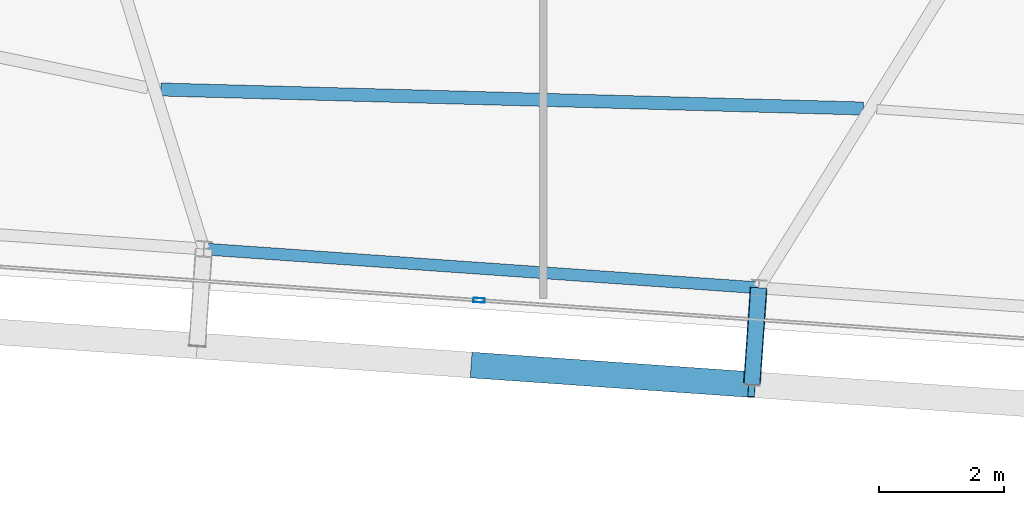
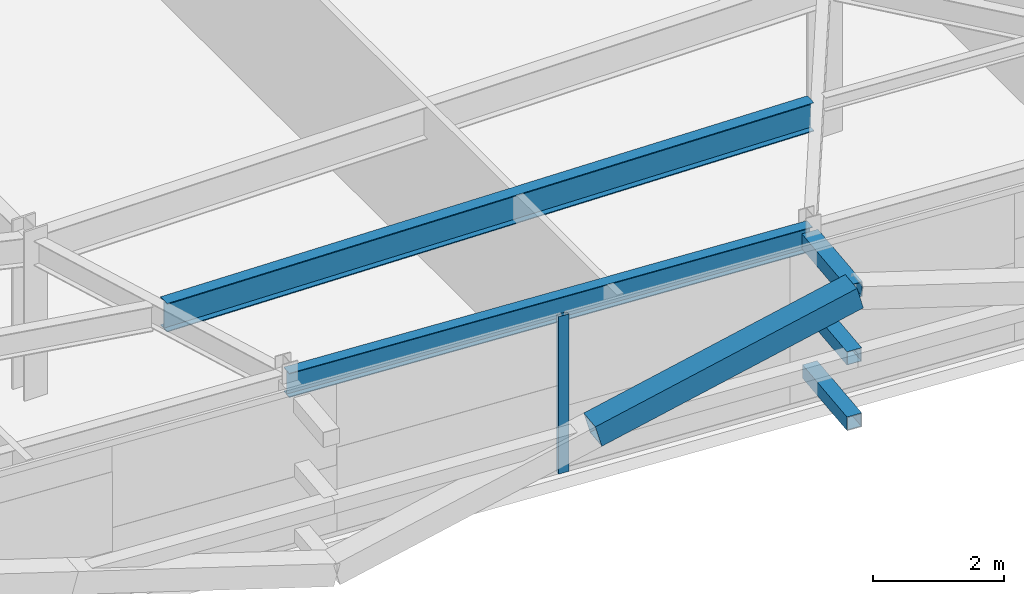
# One storey, part 9 of 39: 5 members, 2 beams, 1 element without a shape of its own.
"""IFC4 building model written with IfcOpenShell, lengths in metres."""

from ifc_helpers import new_model, si_unit, direction, frame, origin, origin_2d, place, context, subcontext, project, spatial, hollow_rectangle, i_section, extrude, source, transform, mapped, material, layer, layer_set, material_profile, profile_set, type_object, element, aggregate, save


model = new_model("IFC4")

# Units and contexts
model_context = context("Model", 3, precision=1e-05, world=origin(), true_north=direction((0.0, 1.0)))
body_context = subcontext(model_context, "Body", "Model", "MODEL_VIEW")
ifc_project = project(units=[si_unit("LENGTHUNIT", "METRE"), si_unit("AREAUNIT", "SQUARE_METRE"), si_unit("VOLUMEUNIT", "CUBIC_METRE"), si_unit("PLANEANGLEUNIT", "RADIAN"), si_unit("MASSUNIT", "GRAM", prefix="KILO")], contexts=[model_context])

# Site, building, storey
site_placement = place(None, origin())
site = spatial("IfcSite", under=ifc_project, at=site_placement, CompositionType="ELEMENT")
building_placement = place(site_placement, origin())
building = spatial("IfcBuilding", under=site, at=building_placement, Name="Taldren Reach Tower", CompositionType="ELEMENT")
storey_placement = place(building_placement, frame((0.0, 0.0, 145.60009765625)))
storey = spatial("IfcBuildingStorey", under=building, at=storey_placement, Name="L44", CompositionType="ELEMENT", Elevation=145.60009765625)

# Members
ifc_material_1 = material(Name="Steel Gr 450 (C450L0)", Category="steel")
ifc_material_profile_1 = material_profile(ifc_material_1, hollow_rectangle(XDim=0.27490234375, YDim=0.27490234375, WallThickness=0.00927734375, at=origin_2d()), Name="275x275x9.3SHS")
ifc_profile_set_1 = profile_set([ifc_material_profile_1], Name="Steel Gr 450 (C450L0)")
member_type_1 = type_object("IfcMemberType", Name="MB-TIE273", PredefinedType="STRUT", material=ifc_profile_set_1)
shared_shape_1 = source(origin(), body_context, "Body", "SweptSolid", [
    extrude(hollow_rectangle(XDim=0.27490234375, YDim=0.27490234375, WallThickness=0.00927734375, at=origin_2d()), origin(), (0.0, 0.0, 1.0), 1.550048828125),
])
member_1_placement = place(storey_placement, frame((38.438720703125, 3.480224609375, 2.64990234375), z_axis=(-0.06976957191, -0.99756313426, 0.0), x_axis=(0.99756313426, -0.06976957191, 0.0)))
element("IfcMember", 1, at=member_1_placement, inside=storey, type_object=member_type_1, Name="Exoskeleton diaphragm tie strut B3-S4 L44", PredefinedType="STRUT", context=body_context, shape_type="MappedRepresentation", body=[
    mapped(shared_shape_1, transform((0.0, 0.0, 0.0), scale=1.0)),
])
ifc_material_2 = material(Name="Steel Gr 350 (C350L0)", Category="steel")
ifc_material_profile_2 = material_profile(ifc_material_2, hollow_rectangle(XDim=0.25, YDim=0.25, WallThickness=0.010009765625, at=origin_2d()), Name="250x250x10.0SHS")
ifc_profile_set_2 = profile_set([ifc_material_profile_2], Name="Steel Gr 350 (C350L0)")
member_type_2 = type_object("IfcMemberType", Name="MB-POST250", PredefinedType="POST", material=ifc_profile_set_2)
shared_shape_2 = source(origin(), body_context, "Body", "SweptSolid", [
    extrude(hollow_rectangle(XDim=0.25, YDim=0.25, WallThickness=0.010009765625, at=origin_2d()), origin(), (0.0, 0.0, 1.0), 1.550048828125),
])
for number, where, z_axis, x_axis, name in (
    (2, (38.438720703125, 3.480224609375, 0.219970703125), (-0.06976957191, -0.99756313426, 0.0), (0.99756313426, -0.06976957191, 0.0), "Exoskeleton base diaphragm tie strut B3-S4 L44"),
    (3, (38.438720703125, 3.480224609375, 1.434814453125), (-0.06976957191, -0.99756313426, 0.0), (0.99756313426, -0.06976957191, 0.0), "Exoskeleton mid-tier diaphragm tie B3-S4 L44"),
):
    element("IfcMember", number, at=place(storey_placement, frame(where, z_axis=z_axis, x_axis=x_axis)), inside=storey, type_object=member_type_2, Name=name, PredefinedType="POST", context=body_context, shape_type="MappedRepresentation", body=[
        mapped(shared_shape_2, transform((0.0, 0.0, 0.0), scale=1.0)),
    ])

# Beams
ifc_material_3 = material(Name="Steel Gr 350 (350PLUS)", Category="steel")
ifc_material_profile_3 = material_profile(ifc_material_3, i_section(OverallWidth=0.18994140625, OverallDepth=0.4541015625, WebThickness=0.008544921875, FlangeThickness=0.0126953125, at=origin_2d()), Name="460UB67.1")
ifc_profile_set_3 = profile_set([ifc_material_profile_3], Name="Steel Gr 350 (350PLUS)")
beam_type_1 = type_object("IfcBeamType", Name="SP-UB460B", PredefinedType="SPANDREL", material=ifc_profile_set_3)
shared_shape_3 = source(origin(), body_context, "Body", "SweptSolid", [
    extrude(i_section(OverallWidth=0.18994140625, OverallDepth=0.4541015625, WebThickness=0.008544921875, FlangeThickness=0.0126953125, at=origin_2d()), origin(), (0.0, 0.0, 1.0), 8.880126953125),
])
beam_1_placement = place(storey_placement, frame((29.580322265625, 4.099609375, 2.702880859375), z_axis=(0.997564479639, -0.069750333063, 0.0), x_axis=(0.069750333063, 0.997564479639, 0.0)))
element("IfcBeam", 4, at=beam_1_placement, inside=storey, type_object=beam_type_1, Name="Perimeter spandrel B3 S3-S4 L44", PredefinedType="SPANDREL", context=body_context, shape_type="MappedRepresentation", body=[
    mapped(shared_shape_3, transform((0.0, 0.0, 0.0), scale=1.0)),
])
ifc_material_profile_4 = material_profile(ifc_material_3, i_section(OverallWidth=0.208984375, OverallDepth=0.532958984375, WebThickness=0.01025390625, FlangeThickness=0.015625, at=origin_2d()), Name="530UB92.4")
ifc_profile_set_4 = profile_set([ifc_material_profile_4], Name="Steel Gr 350 (350PLUS)")
beam_type_2 = type_object("IfcBeamType", Name="BM-UB530A", PredefinedType="BEAM", material=ifc_profile_set_4)
shared_shape_4 = source(origin(), body_context, "Body", "SweptSolid", [
    extrude(i_section(OverallWidth=0.208984375, OverallDepth=0.532958984375, WebThickness=0.01025390625, FlangeThickness=0.015625, at=origin_2d()), origin(), (0.0, 0.0, 1.0), 11.221923828125),
])
beam_2_placement = place(storey_placement, frame((28.890869140625, 6.64697265625, 2.663330078125), z_axis=(0.999633109536, -0.027085906272, 0.0), x_axis=(0.027085906272, 0.999633109536, 0.0)))
element("IfcBeam", 5, at=beam_2_placement, inside=storey, type_object=beam_type_2, Name="Secondary floor beam B3 J3 L44", PredefinedType="BEAM", context=body_context, shape_type="MappedRepresentation", body=[
    mapped(shared_shape_4, transform((0.0, 0.0, 0.0), scale=1.0)),
])

# Member
ifc_material_profile_5 = material_profile(ifc_material_1, hollow_rectangle(XDim=0.409912109375, YDim=0.409912109375, WallThickness=0.01611328125, at=origin_2d()), Name="410x410x16.0SHS")
ifc_profile_set_5 = profile_set([ifc_material_profile_5], Name="Steel Gr 450 (C450L0)")
member_type_3 = type_object("IfcMemberType", Name="MB-EXO406", PredefinedType="BRACE", material=ifc_profile_set_5)
shared_shape_5 = source(origin(), body_context, "Body", "SweptSolid", [
    extrude(hollow_rectangle(XDim=0.409912109375, YDim=0.409912109375, WallThickness=0.01611328125, at=origin_2d()), origin(), (0.0, 0.0, 1.0), 4.603271484375),
])
member_2_placement = place(storey_placement, frame((33.9013671875, 2.24365234375, 1.434814453125), z_axis=(0.962182351074, -0.067302910567, 0.263961060594), x_axis=(0.06977769246, 0.997562566276, 0.0)))
element("IfcMember", 6, at=member_2_placement, inside=storey, type_object=member_type_3, Name="Exoskeleton Diagrid Brace B3-S3 L44", PredefinedType="BRACE", context=body_context, shape_type="MappedRepresentation", body=[
    mapped(shared_shape_5, transform((0.0, 0.0, 0.0), scale=1.0)),
])

# Curtain wall, member
ifc_material_4 = material(Name="Aluminium and Low-E Glass Unitised System", Category="aluminium")
ifc_layer = layer(ifc_material_4, 0.159912109375)
ifc_layer_set = layer_set([ifc_layer], Name="Aluminium and Low-E Glass Unitised System")
curtain_wall_type = type_object("IfcCurtainWallType", Name="CW-SYS-4", PredefinedType="NOTDEFINED", material=ifc_layer_set)
curtain_wall_placement = place(storey_placement, origin())
curtain_wall = element("IfcCurtainWall", 7, at=curtain_wall_placement, inside=storey, type_object=curtain_wall_type, Name="Unitised curtain wall CW-L44-S", PredefinedType="NOTDEFINED")
ifc_material_5 = material(Name="Anodised Aluminium 6063-T6", Category="aluminium")
ifc_material_profile_6 = material_profile(ifc_material_5, hollow_rectangle(XDim=0.070068359375, YDim=0.179931640625, WallThickness=0.00390625, at=origin_2d()), Name="ALU-180x70x4RHS")
ifc_profile_set_6 = profile_set([ifc_material_profile_6], Name="Anodised Aluminium 6063-T6")
member_type_4 = type_object("IfcMemberType", Name="CW-MUL-180", PredefinedType="MULLION", material=ifc_profile_set_6)
shared_shape_6 = source(origin(), body_context, "Body", "SweptSolid", [
    extrude(hollow_rectangle(XDim=0.070068359375, YDim=0.179931640625, WallThickness=0.00390625, at=origin_2d()), origin(), (0.0, 0.0, 1.0), 2.929931640625),
])
member_3_placement = place(storey_placement, frame((33.973876953125, 3.281005859375, 0.0), z_axis=(0.0, 0.0, 1.0), x_axis=(0.06975651593, 0.99756404731, 0.0)))
member_3 = element("IfcMember", 8, at=member_3_placement, type_object=member_type_4, Name="CW-4 mullion 3", PredefinedType="MULLION", context=body_context, shape_type="MappedRepresentation", body=[
    mapped(shared_shape_6, transform((0.0, 0.0, 0.0), scale=1.0)),
])
aggregate(curtain_wall, [member_3])

save(model, "model.ifc")
